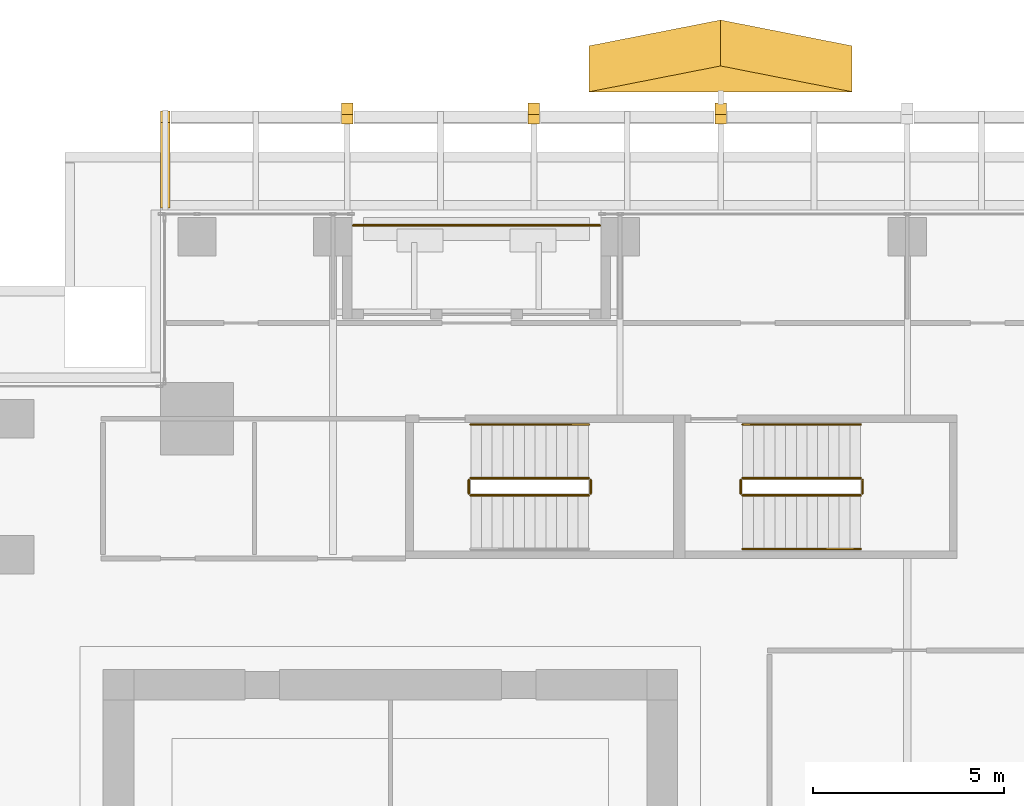
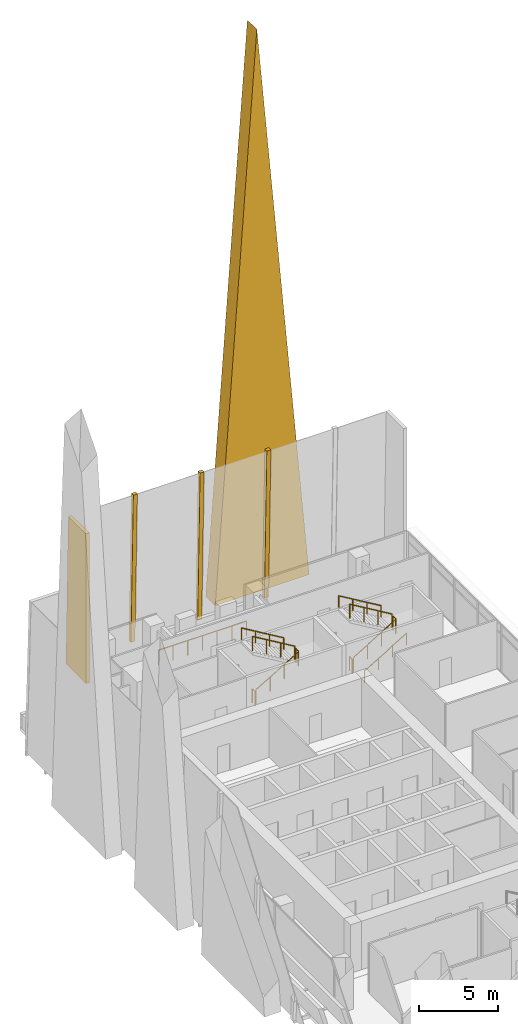
# One storey, part 41 of 43: 12 railings, 5 coverings.
"""IFC4 building model written with IfcOpenShell, lengths in metres."""

from ifc_helpers import new_model, si_unit, direction, frame, origin, origin_2d, place, context, subcontext, project, spatial, polyline, circle, outline, extrude, source, transform, mapped, material, layer, layer_set, type_object, element, save


model = new_model("IFC4")

# Units and contexts
model_context = context("Model", 3, precision=1e-05, world=origin(), true_north=direction((0.0, 1.0)))
body_context = subcontext(model_context, "Body", "Model", "MODEL_VIEW")
ifc_project = project(units=[si_unit("LENGTHUNIT", "METRE"), si_unit("AREAUNIT", "SQUARE_METRE"), si_unit("VOLUMEUNIT", "CUBIC_METRE"), si_unit("PLANEANGLEUNIT", "RADIAN"), si_unit("MASSUNIT", "GRAM", prefix="KILO")], contexts=[model_context])

# Site, building, storey
site_placement = place(None, origin())
site = spatial("IfcSite", under=ifc_project, at=site_placement, CompositionType="ELEMENT")
building_placement = place(site_placement, origin())
building = spatial("IfcBuilding", under=site, at=building_placement, Name="Khomas Fold Tower", CompositionType="ELEMENT")
storey_placement = place(building_placement, frame((0.0, 0.0, 164.699951171875)))
storey = spatial("IfcBuildingStorey", under=building, at=storey_placement, Name="L35", CompositionType="ELEMENT", Elevation=164.699951171875)

# Coverings
ifc_material_1 = material(Name="Natural stone cladding", Category="masonry")
ifc_layer_1 = layer(ifc_material_1, 0.25)
ifc_layer_set_1 = layer_set([ifc_layer_1], Name="Natural stone cladding")
covering_type_1 = type_object("IfcCoveringType", Name="SK-Karibib marble stone mullion", PredefinedType="CLADDING", material=ifc_layer_set_1)
for number, where, z_axis, x_axis, name in (
    (1, (12.22509765625, 53.794921875, 0.006591796875), (0.0, 0.999657230839, 0.026180543005), (1.0, 0.0, 0.0), "OUTER SKIN mullion L35 N2"),
    (2, (17.10009765625, 53.794921875, 0.006591796875), (0.0, 0.999657230839, 0.026180543005), (1.0, 0.0, 0.0), "OUTER SKIN mullion L35 N4"),
    (3, (21.97509765625, 53.794921875, 0.006591796875), (0.0, 0.999657230839, 0.026180543005), (1.0, 0.0, 0.0), "OUTER SKIN mullion L35 N6"),
):
    element("IfcCovering", number, at=place(storey_placement, frame(where, z_axis=z_axis, x_axis=x_axis)), inside=storey, type_object=covering_type_1, Name=name, PredefinedType="CLADDING", context=body_context, shape_type="SweptSolid", body=[
        extrude(outline(polyline([(0.0, 0.0), (0.2998046875, 0.0), (0.2998046875, -11.554009186164079), (0.0, -11.554009186164079), (0.0, 0.0)])), origin(), (0.0, 0.0, -1.0), 0.25),
    ])
covering_1_placement = place(storey_placement, frame((7.5, 51.050048828125, 11.550048828125), z_axis=(-1.0, 0.0, 0.0), x_axis=(0.0, 1.0, 0.0)))
element("IfcCovering", 4, at=covering_1_placement, inside=storey, type_object=covering_type_1, Name="OUTER SKIN return L35 N1", PredefinedType="CLADDING", context=body_context, shape_type="SweptSolid", body=[
    extrude(outline(polyline([(0.0, 0.0), (2.232666015625, 0.0), (2.534912109375, 11.550048828125), (0.0, 11.550048828125), (0.0, 0.0)])), origin(), (0.0, 0.0, -1.0), 0.25),
])
ifc_material_2 = material(Name="Natural stone cladding", Category="masonry")
ifc_layer_2 = layer(ifc_material_2, 1.199951171875)
ifc_layer_set_2 = layer_set([ifc_layer_2], Name="Natural stone cladding")
covering_type_2 = type_object("IfcCoveringType", Name="SK-Karibib marble stone panel", PredefinedType="CLADDING", material=ifc_layer_set_2)
covering_2_placement = place(storey_placement, frame((18.693115234375, 54.088623046875, 0.25), z_axis=(0.0, -0.999876401328, 0.01572202492), x_axis=(1.0, 0.0, 0.0)))
element("IfcCovering", 5, at=covering_2_placement, inside=storey, type_object=covering_type_2, Name="OUTER SKIN blade L35 NZ3-1", PredefinedType="CLADDING", context=body_context, shape_type="SweptSolid", body=[
    extrude(outline(polyline([(0.0, 0.0), (6.86376953125, 0.0), (3.431884765625, 42.9054495409643), (0.0, 0.0)])), origin(), (0.0, 0.0, -1.0), 1.199951171875),
])

# Railings
ifc_material_3 = material(Name="Powder-coated steel", Category="steel")
railing_type_1 = type_object("IfcRailingType", Name="Balcony guard", PredefinedType="GUARDRAIL", material=ifc_material_3)
shared_shape_1 = source(origin(), body_context, "Body", "SweptSolid", [
    extrude(circle(Radius=0.02490234375, at=origin_2d()), frame((0.0, 0.0, 1.125), z_axis=(1.0, 0.0, 0.0), x_axis=(0.0, 1.0, 0.0)), (0.0, 0.0, 1.0), 6.43994140625),
    extrude(circle(Radius=0.02001953125, at=origin_2d()), origin(), (0.0, 0.0, 1.0), 1.099853515625),
    extrude(circle(Radius=0.02001953125, at=origin_2d()), frame((1.0732421875, 0.0, 0.0)), (0.0, 0.0, 1.0), 1.099853515625),
    extrude(circle(Radius=0.02001953125, at=origin_2d()), frame((2.146728515625, 0.0, 0.0)), (0.0, 0.0, 1.0), 1.099853515625),
    extrude(circle(Radius=0.02001953125, at=origin_2d()), frame((3.219970703125, 0.0, 0.0)), (0.0, 0.0, 1.0), 1.099853515625),
    extrude(circle(Radius=0.02001953125, at=origin_2d()), frame((4.293212890625, 0.0, 0.0)), (0.0, 0.0, 1.0), 1.099853515625),
    extrude(circle(Radius=0.02001953125, at=origin_2d()), frame((5.36669921875, 0.0, 0.0)), (0.0, 0.0, 1.0), 1.099853515625),
    extrude(circle(Radius=0.02001953125, at=origin_2d()), frame((6.43994140625, 0.0, 0.0)), (0.0, 0.0, 1.0), 1.099853515625),
])
railing_1_placement = place(storey_placement, frame((12.530029296875, 50.60009765625, -0.044921875)))
element("IfcRailing", 6, at=railing_1_placement, inside=storey, type_object=railing_type_1, Name="Balcony guard BAL-L35-N1", PredefinedType="GUARDRAIL", context=body_context, shape_type="MappedRepresentation", body=[
    mapped(shared_shape_1, transform((0.0, 0.0, 0.0))),
])
ifc_material_4 = material(Name="Steel balustrade", Category="steel")
railing_type_2 = type_object("IfcRailingType", Name="Stair guard", PredefinedType="GUARDRAIL", material=ifc_material_4)
shared_shape_2 = source(origin(), body_context, "Body", "SweptSolid", [
    extrude(circle(Radius=0.02392578125, at=origin_2d()), frame((0.0, 0.0, 1.076171875), z_axis=(0.0, 1.0, 0.0), x_axis=(-1.0, 0.0, 0.0)), (0.0, 0.0, 1.0), 0.349853515625),
    extrude(circle(Radius=0.02099609375, at=origin_2d()), origin(), (0.0, 0.0, 1.0), 1.052001953125),
    extrude(circle(Radius=0.02099609375, at=origin_2d()), frame((0.0, 0.349853515625, 0.0)), (0.0, 0.0, 1.0), 1.052001953125),
])
for number, where, name in (
    (7, (18.72998046875, 43.60009765625, 2.0), "L35 ST1 stair guard 2"),
    (8, (15.550048828125, 43.60009765625, 0.0), "L35 ST1 stair guard 4"),
    (9, (25.830078125, 43.60009765625, 2.0), "L35 ST3 stair guard 2"),
    (10, (22.64990234375, 43.60009765625, 0.0), "L35 ST3 stair guard 4"),
):
    element("IfcRailing", number, at=place(storey_placement, frame(where)), inside=storey, type_object=railing_type_2, Name=name, PredefinedType="GUARDRAIL", context=body_context, shape_type="MappedRepresentation", body=[
        mapped(shared_shape_2, transform((0.0, 0.0, 0.0))),
    ])
shared_shape_3 = source(origin(), body_context, "Body", "SweptSolid", [
    extrude(circle(Radius=0.02392578125, at=origin_2d()), frame((0.0, 0.0, 1.076171875), z_axis=(0.859290745958, 0.0, 0.51148745235), x_axis=(0.0, 1.0, 0.0)), (0.0, 0.0, 1.0), 3.584228515625),
    extrude(circle(Radius=0.02099609375, at=origin_2d()), origin(), (0.0, 0.0, 1.0), 1.052001953125),
    extrude(circle(Radius=0.02099609375, at=origin_2d()), frame((1.026611328125, 0.0, 0.611083984375)), (0.0, 0.0, 1.0), 1.052001953125),
    extrude(circle(Radius=0.02099609375, at=origin_2d()), frame((2.05322265625, 0.0, 1.22216796875)), (0.0, 0.0, 1.0), 1.052001953125),
    extrude(circle(Radius=0.02099609375, at=origin_2d()), frame((3.079833984375, 0.0, 1.833251953125)), (0.0, 0.0, 1.0), 1.052001953125),
])
railing_2_placement = place(storey_placement, frame((15.60009765625, 43.550048828125, 0.166748046875)))
element("IfcRailing", 11, at=railing_2_placement, inside=storey, type_object=railing_type_2, Name="L35 ST1 stair guard 1", PredefinedType="GUARDRAIL", context=body_context, shape_type="MappedRepresentation", body=[
    mapped(shared_shape_3, transform((0.0, 0.0, 0.0))),
])
shared_shape_4 = source(origin(), body_context, "Body", "SweptSolid", [
    extrude(circle(Radius=0.02392578125, at=origin_2d()), frame((0.0, 0.0, 1.076171875), z_axis=(-0.859290745958, 0.0, 0.51148745235), x_axis=(0.0, -1.0, 0.0)), (0.0, 0.0, 1.0), 3.584228515625),
    extrude(circle(Radius=0.02099609375, at=origin_2d()), origin(), (0.0, 0.0, 1.0), 1.052001953125),
    extrude(circle(Radius=0.02099609375, at=origin_2d()), frame((-1.026611328125, 0.0, 0.611083984375)), (0.0, 0.0, 1.0), 1.052001953125),
    extrude(circle(Radius=0.02099609375, at=origin_2d()), frame((-2.05322265625, 0.0, 1.22216796875)), (0.0, 0.0, 1.0), 1.052001953125),
    extrude(circle(Radius=0.02099609375, at=origin_2d()), frame((-3.079833984375, 0.0, 1.833251953125)), (0.0, 0.0, 1.0), 1.052001953125),
])
railing_3_placement = place(storey_placement, frame((18.679931640625, 44.0, 2.166748046875)))
element("IfcRailing", 12, at=railing_3_placement, inside=storey, type_object=railing_type_2, Name="L35 ST1 stair guard 3", PredefinedType="GUARDRAIL", context=body_context, shape_type="MappedRepresentation", body=[
    mapped(shared_shape_4, transform((0.0, 0.0, 0.0))),
])
ifc_material_5 = material(Name="Steel handrail", Category="steel")
railing_type_3 = type_object("IfcRailingType", Name="Stair handrail", PredefinedType="HANDRAIL", material=ifc_material_5)
shared_shape_5 = source(origin(), body_context, "Body", "SweptSolid", [
    extrude(circle(Radius=0.02392578125, at=origin_2d()), frame((0.0, 0.0, 0.8759765625), z_axis=(-0.859290745958, 0.0, 0.51148745235), x_axis=(0.0, -1.0, 0.0)), (0.0, 0.0, 1.0), 3.584228515625),
    extrude(circle(Radius=0.02099609375, at=origin_2d()), origin(), (0.0, 0.0, 1.0), 0.851806640625),
    extrude(circle(Radius=0.02099609375, at=origin_2d()), frame((-1.026611328125, 0.0, 0.611083984375)), (0.0, 0.0, 1.0), 0.851806640625),
    extrude(circle(Radius=0.02099609375, at=origin_2d()), frame((-2.05322265625, 0.0, 1.22216796875)), (0.0, 0.0, 1.0), 0.851806640625),
    extrude(circle(Radius=0.02099609375, at=origin_2d()), frame((-3.079833984375, 0.0, 1.833251953125)), (0.0, 0.0, 1.0), 0.851806640625),
])
railing_4_placement = place(storey_placement, frame((18.679931640625, 45.39990234375, 2.166748046875)))
element("IfcRailing", 13, at=railing_4_placement, inside=storey, type_object=railing_type_3, Name="L35 ST1 stair handrail 2", PredefinedType="HANDRAIL", context=body_context, shape_type="MappedRepresentation", body=[
    mapped(shared_shape_5, transform((0.0, 0.0, 0.0))),
])
shared_shape_6 = source(origin(), body_context, "Body", "SweptSolid", [
    extrude(circle(Radius=0.02392578125, at=origin_2d()), frame((0.0, 0.0, 1.076171875), z_axis=(0.859308565015, 0.0, 0.511457515432), x_axis=(0.0, 1.0, 0.0)), (0.0, 0.0, 1.0), 3.58447265625),
    extrude(circle(Radius=0.02099609375, at=origin_2d()), origin(), (0.0, 0.0, 1.0), 1.052001953125),
    extrude(circle(Radius=0.02099609375, at=origin_2d()), frame((1.026611328125, 0.0, 0.611083984375)), (0.0, 0.0, 1.0), 1.052001953125),
    extrude(circle(Radius=0.02099609375, at=origin_2d()), frame((2.053466796875, 0.0, 1.22216796875)), (0.0, 0.0, 1.0), 1.052001953125),
    extrude(circle(Radius=0.02099609375, at=origin_2d()), frame((3.080078125, 0.0, 1.833251953125)), (0.0, 0.0, 1.0), 1.052001953125),
])
railing_5_placement = place(storey_placement, frame((22.699951171875, 43.550048828125, 0.166748046875)))
element("IfcRailing", 14, at=railing_5_placement, inside=storey, type_object=railing_type_2, Name="L35 ST3 stair guard 1", PredefinedType="GUARDRAIL", context=body_context, shape_type="MappedRepresentation", body=[
    mapped(shared_shape_6, transform((0.0, 0.0, 0.0))),
])
shared_shape_7 = source(origin(), body_context, "Body", "SweptSolid", [
    extrude(circle(Radius=0.02392578125, at=origin_2d()), frame((0.0, 0.0, 1.076171875), z_axis=(-0.859308565015, 0.0, 0.511457515432), x_axis=(0.0, -1.0, 0.0)), (0.0, 0.0, 1.0), 3.58447265625),
    extrude(circle(Radius=0.02099609375, at=origin_2d()), origin(), (0.0, 0.0, 1.0), 1.052001953125),
    extrude(circle(Radius=0.02099609375, at=origin_2d()), frame((-1.026611328125, 0.0, 0.611083984375)), (0.0, 0.0, 1.0), 1.052001953125),
    extrude(circle(Radius=0.02099609375, at=origin_2d()), frame((-2.053466796875, 0.0, 1.22216796875)), (0.0, 0.0, 1.0), 1.052001953125),
    extrude(circle(Radius=0.02099609375, at=origin_2d()), frame((-3.080078125, 0.0, 1.833251953125)), (0.0, 0.0, 1.0), 1.052001953125),
])
railing_6_placement = place(storey_placement, frame((25.780029296875, 44.0, 2.166748046875)))
element("IfcRailing", 15, at=railing_6_placement, inside=storey, type_object=railing_type_2, Name="L35 ST3 stair guard 3", PredefinedType="GUARDRAIL", context=body_context, shape_type="MappedRepresentation", body=[
    mapped(shared_shape_7, transform((0.0, 0.0, 0.0))),
])
shared_shape_8 = source(origin(), body_context, "Body", "SweptSolid", [
    extrude(circle(Radius=0.02392578125, at=origin_2d()), frame((0.0, 0.0, 0.8759765625), z_axis=(0.859308565015, 0.0, 0.511457515432), x_axis=(0.0, 1.0, 0.0)), (0.0, 0.0, 1.0), 3.58447265625),
    extrude(circle(Radius=0.02099609375, at=origin_2d()), origin(), (0.0, 0.0, 1.0), 0.851806640625),
    extrude(circle(Radius=0.02099609375, at=origin_2d()), frame((1.026611328125, 0.0, 0.611083984375)), (0.0, 0.0, 1.0), 0.851806640625),
    extrude(circle(Radius=0.02099609375, at=origin_2d()), frame((2.053466796875, 0.0, 1.22216796875)), (0.0, 0.0, 1.0), 0.851806640625),
    extrude(circle(Radius=0.02099609375, at=origin_2d()), frame((3.080078125, 0.0, 1.833251953125)), (0.0, 0.0, 1.0), 0.851806640625),
])
railing_7_placement = place(storey_placement, frame((22.699951171875, 42.14990234375, 0.166748046875)))
element("IfcRailing", 16, at=railing_7_placement, inside=storey, type_object=railing_type_3, Name="L35 ST3 stair handrail 1", PredefinedType="HANDRAIL", context=body_context, shape_type="MappedRepresentation", body=[
    mapped(shared_shape_8, transform((0.0, 0.0, 0.0))),
])
shared_shape_9 = source(origin(), body_context, "Body", "SweptSolid", [
    extrude(circle(Radius=0.02392578125, at=origin_2d()), frame((0.0, 0.0, 0.8759765625), z_axis=(-0.859308565015, 0.0, 0.511457515432), x_axis=(0.0, -1.0, 0.0)), (0.0, 0.0, 1.0), 3.58447265625),
    extrude(circle(Radius=0.02099609375, at=origin_2d()), origin(), (0.0, 0.0, 1.0), 0.851806640625),
    extrude(circle(Radius=0.02099609375, at=origin_2d()), frame((-1.026611328125, 0.0, 0.611083984375)), (0.0, 0.0, 1.0), 0.851806640625),
    extrude(circle(Radius=0.02099609375, at=origin_2d()), frame((-2.053466796875, 0.0, 1.22216796875)), (0.0, 0.0, 1.0), 0.851806640625),
    extrude(circle(Radius=0.02099609375, at=origin_2d()), frame((-3.080078125, 0.0, 1.833251953125)), (0.0, 0.0, 1.0), 0.851806640625),
])
railing_8_placement = place(storey_placement, frame((25.780029296875, 45.39990234375, 2.166748046875)))
element("IfcRailing", 17, at=railing_8_placement, inside=storey, type_object=railing_type_3, Name="L35 ST3 stair handrail 2", PredefinedType="HANDRAIL", context=body_context, shape_type="MappedRepresentation", body=[
    mapped(shared_shape_9, transform((0.0, 0.0, 0.0))),
])

save(model, "model.ifc")
